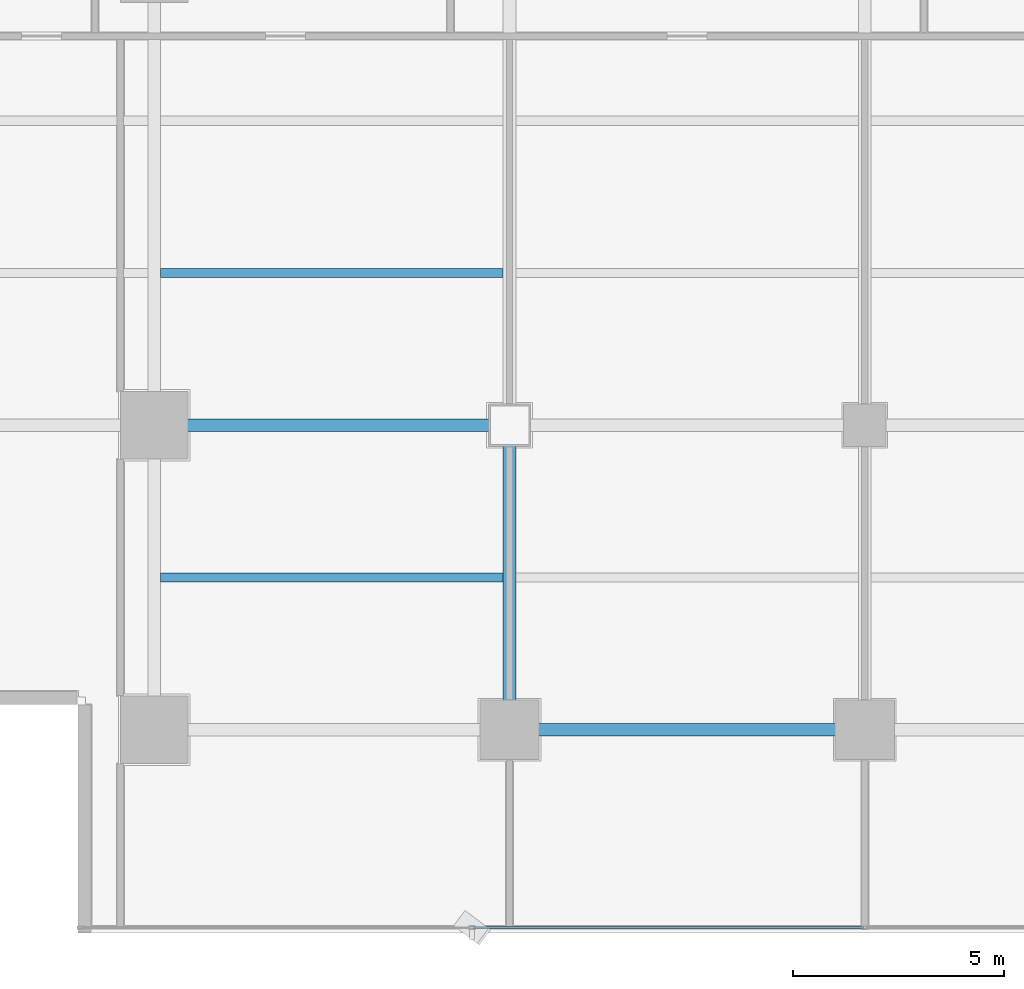
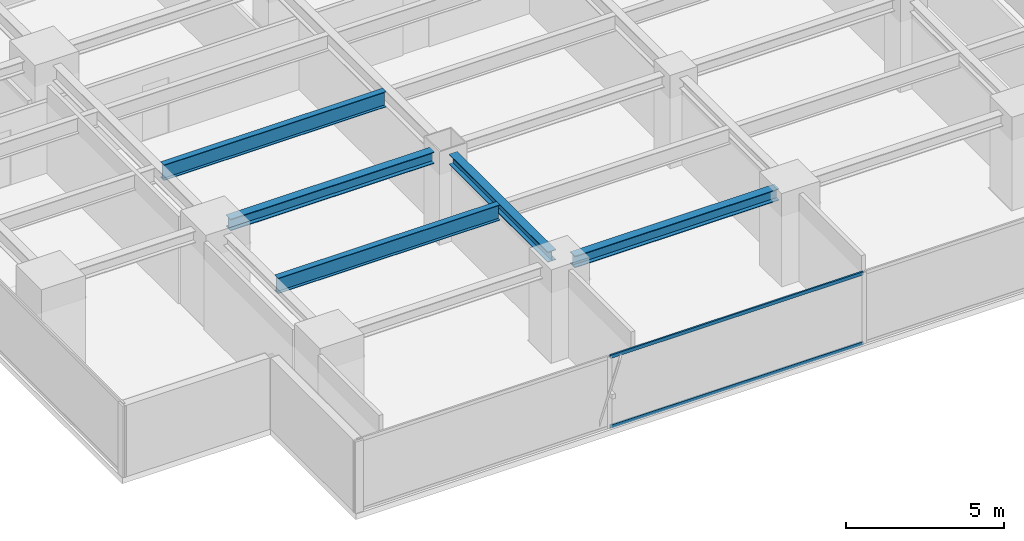
# One storey, part 4 of 28: 5 beams, 2 members, 1 element without a shape of its own.
"""IFC4 building model written with IfcOpenShell, lengths in metres."""

from ifc_helpers import new_model, si_unit, direction, frame, origin, origin_2d, place, context, subcontext, project, spatial, hollow_rectangle, i_section, extrude, source, transform, mapped, material, layer, layer_set, material_profile, profile_set, type_object, element, aggregate, save


model = new_model("IFC4")

# Units and contexts
model_context = context("Model", 3, precision=1e-05, world=origin(), true_north=direction((0.0, 1.0)))
body_context = subcontext(model_context, "Body", "Model", "MODEL_VIEW")
ifc_project = project(units=[si_unit("LENGTHUNIT", "METRE"), si_unit("AREAUNIT", "SQUARE_METRE"), si_unit("VOLUMEUNIT", "CUBIC_METRE"), si_unit("PLANEANGLEUNIT", "RADIAN"), si_unit("MASSUNIT", "GRAM", prefix="KILO")], contexts=[model_context])

# Site, building, storey
site_placement = place(None, origin())
site = spatial("IfcSite", under=ifc_project, at=site_placement, CompositionType="ELEMENT")
building_placement = place(site_placement, origin())
building = spatial("IfcBuilding", under=site, at=building_placement, Name="Sumidabori Civic Tower", CompositionType="ELEMENT")
storey_placement = place(building_placement, frame((0.0, 0.0, 153.199951171875)))
storey = spatial("IfcBuildingStorey", under=building, at=storey_placement, Name="L39", CompositionType="ELEMENT", Elevation=153.199951171875)

# Beams
ifc_material_1 = material(Name="Steel SN490", Category="steel")
ifc_material_profile_1 = material_profile(ifc_material_1, i_section(OverallWidth=0.300048828125, OverallDepth=0.39990234375, WebThickness=0.013427734375, FlangeThickness=0.02392578125, at=origin_2d()), Name="HE 400 B")
ifc_profile_set_1 = profile_set([ifc_material_profile_1], Name="Steel SN490")
beam_type_1 = type_object("IfcBeamType", Name="BM-GIRD-400", PredefinedType="BEAM", material=ifc_profile_set_1)
shared_shape_1 = source(origin(), body_context, "Body", "SweptSolid", [
    extrude(i_section(OverallWidth=0.300048828125, OverallDepth=0.39990234375, WebThickness=0.013427734375, FlangeThickness=0.02392578125, at=origin_2d()), origin(), (0.0, 0.0, 1.0), 6.239990234375),
])
beam_1_placement = place(storey_placement, frame((-8.39990234375, -17.52001953125, 3.179931640625), z_axis=(0.0, 1.0, 0.0), x_axis=(-1.0, 0.0, 0.0)))
element("IfcBeam", 1, at=beam_1_placement, inside=storey, type_object=beam_type_1, Name="Primary Girder L39 GY-26", PredefinedType="BEAM", context=body_context, shape_type="MappedRepresentation", body=[
    mapped(shared_shape_1, transform((0.0, 0.0, 0.0), x_axis=(1.0, 0.0, 0.0), y_axis=(0.0, 1.0, 0.0), z_axis=(0.0, 0.0, 1.0), scale=1.0)),
])
ifc_material_profile_2 = material_profile(ifc_material_1, i_section(OverallWidth=0.219970703125, OverallDepth=0.60009765625, WebThickness=0.011962890625, FlangeThickness=0.01904296875, at=origin_2d()), Name="IPE 600")
ifc_profile_set_2 = profile_set([ifc_material_profile_2], Name="Steel SN490")
beam_type_2 = type_object("IfcBeamType", Name="BM-JST-600", PredefinedType="JOIST", material=ifc_profile_set_2)
shared_shape_2 = source(origin(), body_context, "Body", "SweptSolid", [
    extrude(i_section(OverallWidth=0.219970703125, OverallDepth=0.60009765625, WebThickness=0.011962890625, FlangeThickness=0.01904296875, at=origin_2d()), origin(), (0.0, 0.0, 1.0), 8.099853515625),
])
for number, where, z_axis, x_axis, name in (
    (2, (-16.64990234375, -14.39990234375, 3.080078125), (1.0, 0.0, 0.0), (0.0, 1.0, 0.0), "South Bay Floor Joist L39 JSTS-49"),
    (3, (-16.64990234375, -7.199951171875, 3.080078125), (1.0, 0.0, 0.0), (0.0, 1.0, 0.0), "South Bay Floor Joist L39 JSTS-53"),
):
    element("IfcBeam", number, at=place(storey_placement, frame(where, z_axis=z_axis, x_axis=x_axis)), inside=storey, type_object=beam_type_2, Name=name, PredefinedType="JOIST", context=body_context, shape_type="MappedRepresentation", body=[
        mapped(shared_shape_2, transform((0.0, 0.0, 0.0), x_axis=(1.0, 0.0, 0.0), y_axis=(0.0, 1.0, 0.0), z_axis=(0.0, 0.0, 1.0), scale=1.0)),
    ])
ifc_material_profile_3 = material_profile(ifc_material_1, i_section(OverallWidth=0.300048828125, OverallDepth=0.449951171875, WebThickness=0.013916015625, FlangeThickness=0.02587890625, at=origin_2d()), Name="HE 450 B")
ifc_profile_set_3 = profile_set([ifc_material_profile_3], Name="Steel SN490")
beam_type_3 = type_object("IfcBeamType", Name="BM-GIRD-450", PredefinedType="BEAM", material=ifc_profile_set_3)
shared_shape_3 = source(origin(), body_context, "Body", "SweptSolid", [
    extrude(i_section(OverallWidth=0.300048828125, OverallDepth=0.449951171875, WebThickness=0.013916015625, FlangeThickness=0.02587890625, at=origin_2d()), origin(), (0.0, 0.0, 1.0), 7.440185546875),
])
beam_2_placement = place(storey_placement, frame((-16.320068359375, -10.800048828125, 3.155029296875), z_axis=(1.0, 0.0, 0.0), x_axis=(0.0, 1.0, 0.0)))
element("IfcBeam", 4, at=beam_2_placement, inside=storey, type_object=beam_type_3, Name="Primary Girder L39 GX-06", PredefinedType="BEAM", context=body_context, shape_type="MappedRepresentation", body=[
    mapped(shared_shape_3, transform((0.0, 0.0, 0.0), x_axis=(1.0, 0.0, 0.0), y_axis=(0.0, 1.0, 0.0), z_axis=(0.0, 0.0, 1.0), scale=1.0)),
])
shared_shape_4 = source(origin(), body_context, "Body", "SweptSolid", [
    extrude(i_section(OverallWidth=0.300048828125, OverallDepth=0.449951171875, WebThickness=0.013916015625, FlangeThickness=0.02587890625, at=origin_2d()), origin(), (0.0, 0.0, 1.0), 7.43994140625),
])
beam_3_placement = place(storey_placement, frame((-7.919921875, -18.0, 3.155029296875), z_axis=(1.0, 0.0, 0.0), x_axis=(0.0, 1.0, 0.0)))
element("IfcBeam", 5, at=beam_3_placement, inside=storey, type_object=beam_type_3, Name="Primary Girder L39 GX-02", PredefinedType="BEAM", context=body_context, shape_type="MappedRepresentation", body=[
    mapped(shared_shape_4, transform((0.0, 0.0, 0.0), x_axis=(1.0, 0.0, 0.0), y_axis=(0.0, 1.0, 0.0), z_axis=(0.0, 0.0, 1.0), scale=1.0)),
])

# Curtain wall, members
ifc_material_2 = material(Name="Anodised Bronze Aluminium AW-6063-T6", Category="aluminium")
ifc_layer = layer(ifc_material_2, 0.179931640625, Name="Anodised Bronze Aluminium AW-6063-T6")
ifc_layer_set = layer_set([ifc_layer], Name="Anodised Bronze Aluminium AW-6063-T6")
curtain_wall_type = type_object("IfcCurtainWallType", Name="CW-SYS-3", PredefinedType="NOTDEFINED", material=ifc_layer_set)
curtain_wall_placement = place(storey_placement, origin())
curtain_wall = element("IfcCurtainWall", 6, at=curtain_wall_placement, inside=storey, type_object=curtain_wall_type, Name="Curtain Wall CW:L39:R01", PredefinedType="NOTDEFINED")
ifc_material_profile_4 = material_profile(ifc_material_2, hollow_rectangle(XDim=0.06005859375, YDim=0.1298828125, WallThickness=0.0048828125, at=origin_2d()), Name="ALU TRANSOM 130x60")
ifc_profile_set_4 = profile_set([ifc_material_profile_4], Name="Anodised Bronze Aluminium AW-6063-T6")
member_type = type_object("IfcMemberType", Name="CW-TRN-130", PredefinedType="USERDEFINED", material=ifc_profile_set_4)
shared_shape_5 = source(origin(), body_context, "Body", "SweptSolid", [
    extrude(hollow_rectangle(XDim=0.06005859375, YDim=0.1298828125, WallThickness=0.0048828125, at=origin_2d()), origin(), (0.0, 0.0, 1.0), 9.219970703125),
])
member_1_placement = place(storey_placement, frame((-9.25244140625, -22.679931640625, 0.030029296875), z_axis=(1.0, 0.0, 0.0), x_axis=(0.0, 1.0, 0.0)))
member_1 = element("IfcMember", 7, at=member_1_placement, type_object=member_type, Name="CW-3 transom 2.1", ObjectType="TRANSOM", PredefinedType="USERDEFINED", context=body_context, shape_type="MappedRepresentation", body=[
    mapped(shared_shape_5, transform((0.0, 0.0, 0.0), x_axis=(1.0, 0.0, 0.0), y_axis=(0.0, 1.0, 0.0), z_axis=(0.0, 0.0, 1.0), scale=1.0)),
])
member_2_placement = place(storey_placement, frame((-9.25244140625, -22.679931640625, 2.72998046875), z_axis=(1.0, 0.0, 0.0), x_axis=(0.0, 1.0, 0.0)))
member_2 = element("IfcMember", 8, at=member_2_placement, type_object=member_type, Name="CW-3 transom 2.2", ObjectType="TRANSOM", PredefinedType="USERDEFINED", context=body_context, shape_type="MappedRepresentation", body=[
    mapped(shared_shape_5, transform((0.0, 0.0, 0.0), x_axis=(1.0, 0.0, 0.0), y_axis=(0.0, 1.0, 0.0), z_axis=(0.0, 0.0, 1.0), scale=1.0)),
])
aggregate(curtain_wall, [member_1, member_2])

save(model, "model.ifc")
